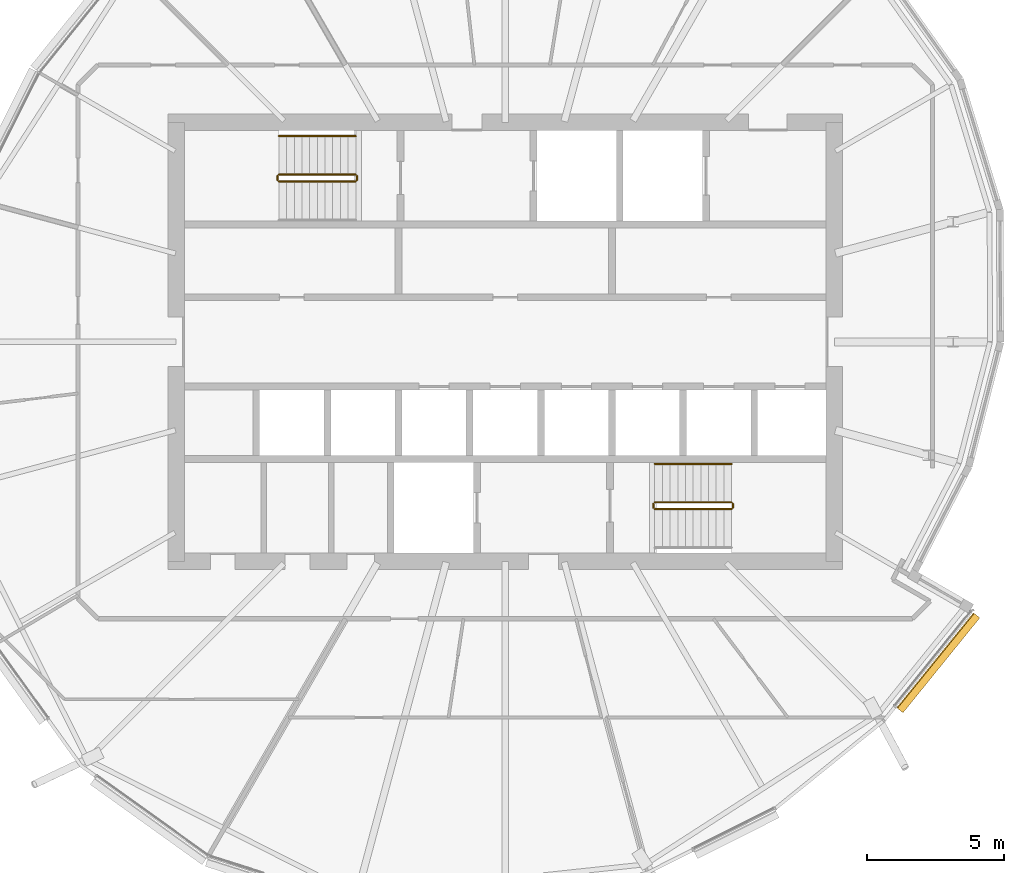
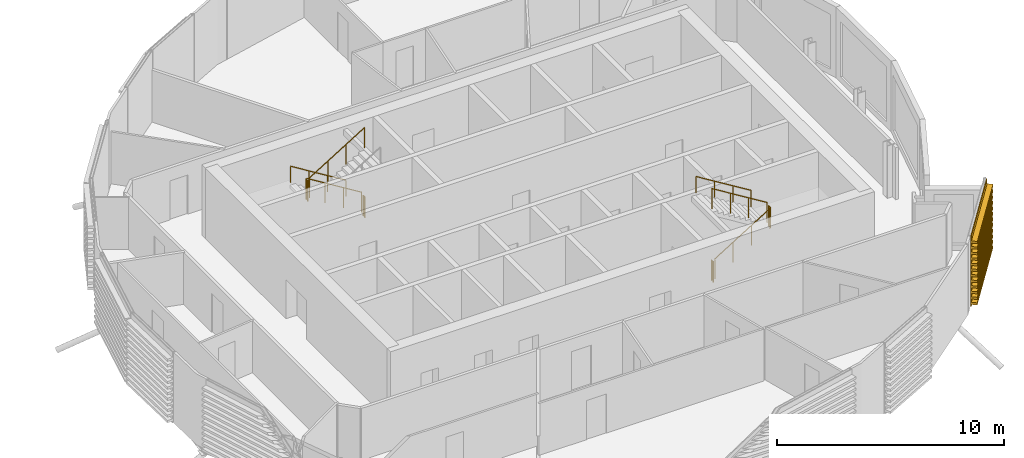
# One storey, part 37 of 38: 10 railings, 1 covering.
"""IFC4 building model written with IfcOpenShell, lengths in metres."""

from ifc_helpers import new_model, si_unit, direction, frame, origin, origin_2d, place, context, subcontext, project, spatial, polyline, circle, outline, extrude, material, material_profile, profile_set, type_object, element, save


model = new_model("IFC4")

# Units and contexts
model_context = context("Model", 3, precision=1e-05, world=origin(), true_north=direction((0.0, 1.0)))
body_context = subcontext(model_context, "Body", "Model", "MODEL_VIEW")
ifc_project = project(units=[si_unit("LENGTHUNIT", "METRE"), si_unit("AREAUNIT", "SQUARE_METRE"), si_unit("VOLUMEUNIT", "CUBIC_METRE"), si_unit("PLANEANGLEUNIT", "RADIAN"), si_unit("MASSUNIT", "GRAM", prefix="KILO")], contexts=[model_context])

# Site, building, storey
site_placement = place(None, origin())
site = spatial("IfcSite", under=ifc_project, at=site_placement, CompositionType="ELEMENT")
building_placement = place(site_placement, origin())
building = spatial("IfcBuilding", under=site, at=building_placement, Name="Rimbun Link Towers", CompositionType="ELEMENT")
storey_placement = place(building_placement, frame((0.0, 0.0, 185.5)))
storey = spatial("IfcBuildingStorey", under=building, at=storey_placement, Name="L45", CompositionType="ELEMENT", Elevation=185.5)

# Railings
ifc_material_1 = material(Name="Stainless steel grade 316", Category="steel")
railing_type_1 = type_object("IfcRailingType", Name="Stair guard", PredefinedType="GUARDRAIL", material=ifc_material_1)
railing_1_placement = place(storey_placement, frame((26.300048828125, 6.10009765625, 0.172607421875)))
element("IfcRailing", 1, at=railing_1_placement, inside=storey, type_object=railing_type_1, Name="L45 ST3 stair guard 1", PredefinedType="GUARDRAIL", context=body_context, shape_type="SweptSolid", body=[
    extrude(circle(Radius=0.02392578125, at=origin_2d()), frame((0.0, 0.0, 1.076171875), z_axis=(-0.851089632645, 0.0, 0.525020415988), x_axis=(0.0, -1.0, 0.0)), (0.0, 0.0, 1.0), 3.2900390625),
    extrude(circle(Radius=0.02099609375, at=origin_2d()), origin(), (0.0, 0.0, 1.0), 1.052001953125),
    extrude(circle(Radius=0.02099609375, at=origin_2d()), frame((-0.933349609375, 0.0, 0.57568359375)), (0.0, 0.0, 1.0), 1.052001953125),
    extrude(circle(Radius=0.02099609375, at=origin_2d()), frame((-1.86669921875, 0.0, 1.151611328125)), (0.0, 0.0, 1.0), 1.052001953125),
    extrude(circle(Radius=0.02099609375, at=origin_2d()), frame((-2.800048828125, 0.0, 1.727294921875)), (0.0, 0.0, 1.0), 1.052001953125),
])
railing_2_placement = place(storey_placement, frame((23.449951171875, 6.050048828125, 1.89990234375)))
element("IfcRailing", 2, at=railing_2_placement, inside=storey, type_object=railing_type_1, Name="L45 ST3 stair guard 2", PredefinedType="GUARDRAIL", context=body_context, shape_type="SweptSolid", body=[
    extrude(circle(Radius=0.02392578125, at=origin_2d()), frame((0.0, 0.0, 1.076171875), z_axis=(0.0, -1.0, 0.0), x_axis=(1.0, 0.0, 0.0)), (0.0, 0.0, 1.0), 0.150146484375),
    extrude(circle(Radius=0.02099609375, at=origin_2d()), origin(), (0.0, 0.0, 1.0), 1.052001953125),
    extrude(circle(Radius=0.02099609375, at=origin_2d()), frame((0.0, -0.150146484375, 0.0)), (0.0, 0.0, 1.0), 1.052001953125),
])
railing_3_placement = place(storey_placement, frame((23.5, 5.85009765625, 2.07275390625)))
element("IfcRailing", 3, at=railing_3_placement, inside=storey, type_object=railing_type_1, Name="L45 ST3 stair guard 3", PredefinedType="GUARDRAIL", context=body_context, shape_type="SweptSolid", body=[
    extrude(circle(Radius=0.02392578125, at=origin_2d()), frame((0.0, 0.0, 1.076171875), z_axis=(0.851089632645, 0.0, 0.525020415988), x_axis=(0.0, 1.0, 0.0)), (0.0, 0.0, 1.0), 3.2900390625),
    extrude(circle(Radius=0.02099609375, at=origin_2d()), origin(), (0.0, 0.0, 1.0), 1.052001953125),
    extrude(circle(Radius=0.02099609375, at=origin_2d()), frame((0.933349609375, 0.0, 0.57568359375)), (0.0, 0.0, 1.0), 1.052001953125),
    extrude(circle(Radius=0.02099609375, at=origin_2d()), frame((1.86669921875, 0.0, 1.151611328125)), (0.0, 0.0, 1.0), 1.052001953125),
    extrude(circle(Radius=0.02099609375, at=origin_2d()), frame((2.800048828125, 0.0, 1.727294921875)), (0.0, 0.0, 1.0), 1.052001953125),
])
railing_4_placement = place(storey_placement, frame((26.35009765625, 6.050048828125, 0.0)))
element("IfcRailing", 4, at=railing_4_placement, inside=storey, type_object=railing_type_1, Name="L45 ST3 stair guard 4", PredefinedType="GUARDRAIL", context=body_context, shape_type="SweptSolid", body=[
    extrude(circle(Radius=0.02392578125, at=origin_2d()), frame((0.0, 0.0, 1.076171875), z_axis=(0.0, -1.0, 0.0), x_axis=(1.0, 0.0, 0.0)), (0.0, 0.0, 1.0), 0.150146484375),
    extrude(circle(Radius=0.02099609375, at=origin_2d()), origin(), (0.0, 0.0, 1.0), 1.052001953125),
    extrude(circle(Radius=0.02099609375, at=origin_2d()), frame((0.0, -0.150146484375, 0.0)), (0.0, 0.0, 1.0), 1.052001953125),
])
railing_5_placement = place(storey_placement, frame((37.199951171875, -6.10009765625, 0.172607421875)))
element("IfcRailing", 5, at=railing_5_placement, inside=storey, type_object=railing_type_1, Name="L45 ST4 stair guard 1", PredefinedType="GUARDRAIL", context=body_context, shape_type="SweptSolid", body=[
    extrude(circle(Radius=0.02392578125, at=origin_2d()), frame((0.0, 0.0, 1.076171875), z_axis=(0.851089632645, 0.0, 0.525020415988), x_axis=(0.0, 1.0, 0.0)), (0.0, 0.0, 1.0), 3.2900390625),
    extrude(circle(Radius=0.02099609375, at=origin_2d()), origin(), (0.0, 0.0, 1.0), 1.052001953125),
    extrude(circle(Radius=0.02099609375, at=origin_2d()), frame((0.933349609375, 0.0, 0.57568359375)), (0.0, 0.0, 1.0), 1.052001953125),
    extrude(circle(Radius=0.02099609375, at=origin_2d()), frame((1.86669921875, 0.0, 1.151611328125)), (0.0, 0.0, 1.0), 1.052001953125),
    extrude(circle(Radius=0.02099609375, at=origin_2d()), frame((2.800048828125, 0.0, 1.727294921875)), (0.0, 0.0, 1.0), 1.052001953125),
])
railing_6_placement = place(storey_placement, frame((40.050048828125, -6.050048828125, 1.89990234375)))
element("IfcRailing", 6, at=railing_6_placement, inside=storey, type_object=railing_type_1, Name="L45 ST4 stair guard 2", PredefinedType="GUARDRAIL", context=body_context, shape_type="SweptSolid", body=[
    extrude(circle(Radius=0.02392578125, at=origin_2d()), frame((0.0, 0.0, 1.076171875), z_axis=(0.0, 1.0, 0.0), x_axis=(-1.0, 0.0, 0.0)), (0.0, 0.0, 1.0), 0.150146484375),
    extrude(circle(Radius=0.02099609375, at=origin_2d()), origin(), (0.0, 0.0, 1.0), 1.052001953125),
    extrude(circle(Radius=0.02099609375, at=origin_2d()), frame((0.0, 0.150146484375, 0.0)), (0.0, 0.0, 1.0), 1.052001953125),
])
railing_7_placement = place(storey_placement, frame((40.0, -5.85009765625, 2.07275390625)))
element("IfcRailing", 7, at=railing_7_placement, inside=storey, type_object=railing_type_1, Name="L45 ST4 stair guard 3", PredefinedType="GUARDRAIL", context=body_context, shape_type="SweptSolid", body=[
    extrude(circle(Radius=0.02392578125, at=origin_2d()), frame((0.0, 0.0, 1.076171875), z_axis=(-0.851089632645, 0.0, 0.525020415988), x_axis=(0.0, -1.0, 0.0)), (0.0, 0.0, 1.0), 3.2900390625),
    extrude(circle(Radius=0.02099609375, at=origin_2d()), origin(), (0.0, 0.0, 1.0), 1.052001953125),
    extrude(circle(Radius=0.02099609375, at=origin_2d()), frame((-0.933349609375, 0.0, 0.57568359375)), (0.0, 0.0, 1.0), 1.052001953125),
    extrude(circle(Radius=0.02099609375, at=origin_2d()), frame((-1.86669921875, 0.0, 1.151611328125)), (0.0, 0.0, 1.0), 1.052001953125),
    extrude(circle(Radius=0.02099609375, at=origin_2d()), frame((-2.800048828125, 0.0, 1.727294921875)), (0.0, 0.0, 1.0), 1.052001953125),
])
railing_8_placement = place(storey_placement, frame((37.14990234375, -6.050048828125, 0.0)))
element("IfcRailing", 8, at=railing_8_placement, inside=storey, type_object=railing_type_1, Name="L45 ST4 stair guard 4", PredefinedType="GUARDRAIL", context=body_context, shape_type="SweptSolid", body=[
    extrude(circle(Radius=0.02392578125, at=origin_2d()), frame((0.0, 0.0, 1.076171875), z_axis=(0.0, 1.0, 0.0), x_axis=(-1.0, 0.0, 0.0)), (0.0, 0.0, 1.0), 0.150146484375),
    extrude(circle(Radius=0.02099609375, at=origin_2d()), origin(), (0.0, 0.0, 1.0), 1.052001953125),
    extrude(circle(Radius=0.02099609375, at=origin_2d()), frame((0.0, 0.150146484375, 0.0)), (0.0, 0.0, 1.0), 1.052001953125),
])
ifc_material_2 = material(Name="Stainless steel grade 316", Category="steel")
railing_type_2 = type_object("IfcRailingType", Name="Stair handrail", PredefinedType="HANDRAIL", material=ifc_material_2)
for number, where, name in (
    (9, (26.300048828125, 7.5, 0.172607421875), "L45 ST3 stair handrail 1"),
    (10, (40.0, -4.449951171875, 2.07275390625), "L45 ST4 stair handrail 2"),
):
    element("IfcRailing", number, at=place(storey_placement, frame(where)), inside=storey, type_object=railing_type_2, Name=name, PredefinedType="HANDRAIL", context=body_context, shape_type="SweptSolid", body=[
        extrude(circle(Radius=0.02392578125, at=origin_2d()), frame((0.0, 0.0, 0.8759765625), z_axis=(-0.851089632645, 0.0, 0.525020415988), x_axis=(0.0, -1.0, 0.0)), (0.0, 0.0, 1.0), 3.2900390625),
        extrude(circle(Radius=0.02099609375, at=origin_2d()), origin(), (0.0, 0.0, 1.0), 0.851806640625),
        extrude(circle(Radius=0.02099609375, at=origin_2d()), frame((-0.933349609375, 0.0, 0.57568359375)), (0.0, 0.0, 1.0), 0.851806640625),
        extrude(circle(Radius=0.02099609375, at=origin_2d()), frame((-1.86669921875, 0.0, 1.151611328125)), (0.0, 0.0, 1.0), 0.851806640625),
        extrude(circle(Radius=0.02099609375, at=origin_2d()), frame((-2.800048828125, 0.0, 1.727294921875)), (0.0, 0.0, 1.0), 0.851806640625),
    ])

# Covering
ifc_material_3 = material(Name="Terracotta", Category="masonry")
ifc_material_profile = material_profile(ifc_material_3, outline(polyline([(0.123046875, 0.0), (0.1630859375, 0.0), (0.1630859375, 0.10009765625), (0.423095703125, 0.10009765625), (0.423095703125, 0.219970703125), (0.1630859375, 0.219970703125), (0.1630859375, 0.39990234375), (0.423095703125, 0.39990234375), (0.423095703125, 0.52001953125), (0.1630859375, 0.52001953125), (0.1630859375, 0.699951171875), (0.423095703125, 0.699951171875), (0.423095703125, 0.820068359375), (0.1630859375, 0.820068359375), (0.1630859375, 1.0), (0.423095703125, 1.0), (0.423095703125, 1.1201171875), (0.1630859375, 1.1201171875), (0.1630859375, 1.300048828125), (0.423095703125, 1.300048828125), (0.423095703125, 1.419921875), (0.1630859375, 1.419921875), (0.1630859375, 1.60009765625), (0.423095703125, 1.60009765625), (0.423095703125, 1.719970703125), (0.1630859375, 1.719970703125), (0.1630859375, 1.89990234375), (0.423095703125, 1.89990234375), (0.423095703125, 2.02001953125), (0.1630859375, 2.02001953125), (0.1630859375, 2.199951171875), (0.423095703125, 2.199951171875), (0.423095703125, 2.320068359375), (0.1630859375, 2.320068359375), (0.1630859375, 2.5), (0.423095703125, 2.5), (0.423095703125, 2.6201171875), (0.1630859375, 2.6201171875), (0.1630859375, 2.800048828125), (0.423095703125, 2.800048828125), (0.423095703125, 2.919921875), (0.1630859375, 2.919921875), (0.1630859375, 3.10009765625), (0.423095703125, 3.10009765625), (0.423095703125, 3.219970703125), (0.1630859375, 3.219970703125), (0.1630859375, 3.39990234375), (0.423095703125, 3.39990234375), (0.423095703125, 3.52001953125), (0.1630859375, 3.52001953125), (0.1630859375, 3.800048828125), (0.123046875, 3.800048828125), (0.123046875, 0.0)])), Name="BAGUETTE 120X300")
ifc_profile_set = profile_set([ifc_material_profile], Name="Terracotta")
covering_type = type_object("IfcCoveringType", Name="TERRACOTTA BAGUETTE 120X300 H3800", PredefinedType="CLADDING", material=ifc_profile_set)
covering_placement = place(storey_placement, frame((48.722900390625, -9.79931640625, 0.0), z_axis=(-0.629133527488, -0.777297243396, 0.0), x_axis=(0.777297243396, -0.629133527488, 0.0)))
element("IfcCovering", 11, at=covering_placement, inside=storey, type_object=covering_type, Name="TERRACOTTA BAGUETTE", PredefinedType="CLADDING", context=body_context, shape_type="SweptSolid", body=[
    extrude(outline(polyline([(0.123046875, 0.0), (0.1630859375, 0.0), (0.1630859375, 0.10009765625), (0.423095703125, 0.10009765625), (0.423095703125, 0.219970703125), (0.1630859375, 0.219970703125), (0.1630859375, 0.39990234375), (0.423095703125, 0.39990234375), (0.423095703125, 0.52001953125), (0.1630859375, 0.52001953125), (0.1630859375, 0.699951171875), (0.423095703125, 0.699951171875), (0.423095703125, 0.820068359375), (0.1630859375, 0.820068359375), (0.1630859375, 1.0), (0.423095703125, 1.0), (0.423095703125, 1.1201171875), (0.1630859375, 1.1201171875), (0.1630859375, 1.300048828125), (0.423095703125, 1.300048828125), (0.423095703125, 1.419921875), (0.1630859375, 1.419921875), (0.1630859375, 1.60009765625), (0.423095703125, 1.60009765625), (0.423095703125, 1.719970703125), (0.1630859375, 1.719970703125), (0.1630859375, 1.89990234375), (0.423095703125, 1.89990234375), (0.423095703125, 2.02001953125), (0.1630859375, 2.02001953125), (0.1630859375, 2.199951171875), (0.423095703125, 2.199951171875), (0.423095703125, 2.320068359375), (0.1630859375, 2.320068359375), (0.1630859375, 2.5), (0.423095703125, 2.5), (0.423095703125, 2.6201171875), (0.1630859375, 2.6201171875), (0.1630859375, 2.800048828125), (0.423095703125, 2.800048828125), (0.423095703125, 2.919921875), (0.1630859375, 2.919921875), (0.1630859375, 3.10009765625), (0.423095703125, 3.10009765625), (0.423095703125, 3.219970703125), (0.1630859375, 3.219970703125), (0.1630859375, 3.39990234375), (0.423095703125, 3.39990234375), (0.423095703125, 3.52001953125), (0.1630859375, 3.52001953125), (0.1630859375, 3.800048828125), (0.123046875, 3.800048828125), (0.123046875, 0.0)])), origin(), (0.0, 0.0, 1.0), 4.45068359375),
])

save(model, "model.ifc")
